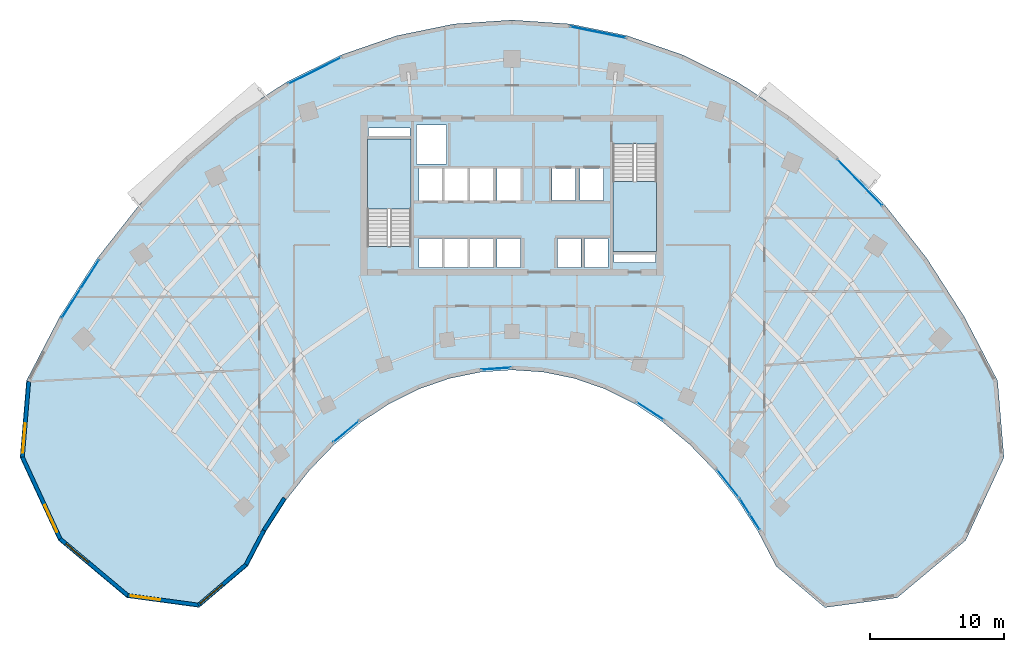
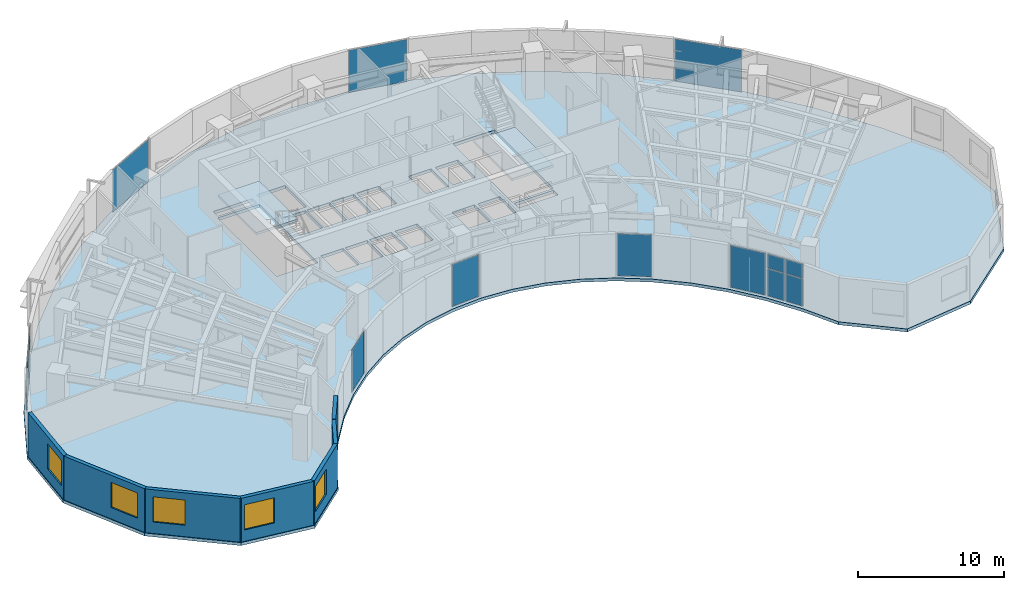
# One storey, part 7 of 13: 15 plates, 7 walls, 5 windows, 3 slabs, 5 openings, 11 elements without a shape of their own.
"""IFC4 building model written with IfcOpenShell, lengths in metres."""

from ifc_helpers import new_model, si_unit, direction, frame, frame_2d, origin, origin_2d, place, context, subcontext, project, spatial, polyline, rectangle, outline, extrude, source, transform, mapped, material, layer, layer_set, type_object, type_shapes, element, fill, aggregate, save


model = new_model("IFC4")

# Units and contexts
model_context = context("Model", 3, precision=1e-05, world=origin(), true_north=direction((0.0, 1.0)))
body_context = subcontext(model_context, "Body", "Model", "MODEL_VIEW")
ifc_project = project(units=[si_unit("LENGTHUNIT", "METRE"), si_unit("AREAUNIT", "SQUARE_METRE"), si_unit("VOLUMEUNIT", "CUBIC_METRE"), si_unit("PLANEANGLEUNIT", "RADIAN"), si_unit("MASSUNIT", "GRAM", prefix="KILO")], contexts=[model_context])

# Site, building, storey
site_placement = place(None, origin())
site = spatial("IfcSite", under=ifc_project, at=site_placement, CompositionType="ELEMENT")
building_placement = place(site_placement, origin())
building = spatial("IfcBuilding", under=site, at=building_placement, Name="Breltana Convention Tower", CompositionType="ELEMENT")
storey_placement = place(building_placement, frame((0.0, 0.0, 96.0)))
storey = spatial("IfcBuildingStorey", under=building, at=storey_placement, Name="L22", CompositionType="ELEMENT", Elevation=96.0)

# Slab
ifc_material_1 = material(Name="Concrete C40/50", Category="concrete")
ifc_layer_1 = layer(ifc_material_1, 0.25, Name="Concrete C40/50")
ifc_layer_set_1 = layer_set([ifc_layer_1], Name="Concrete C40/50")
slab_type_1 = type_object("IfcSlabType", Name="SL-OFF-250", PredefinedType="FLOOR", material=ifc_layer_set_1)
slab_1_placement = place(storey_placement, frame((0.0, 0.0, -0.25)))
element("IfcSlab", 1, at=slab_1_placement, inside=storey, type_object=slab_type_1, Name="L22 Suspended Structural Floor Slab", PredefinedType="FLOOR", context=body_context, shape_type="SweptSolid", body=[
    extrude(outline(polyline([(84.254150390625, 52.3564453125), (81.779052734375, 57.1103515625), (78.958251953125, 61.5048828125), (75.820556640625, 65.494873046875), (72.39794921875, 69.03955078125), (68.7255859375, 72.1025390625), (64.841064453125, 74.652587890625), (60.783935546875, 76.663818359375), (56.59619140625, 78.114990234375), (52.3203125, 78.99169921875), (48.0, 79.284912109375), (43.6796875, 78.99169921875), (39.40380859375, 78.114990234375), (35.216064453125, 76.663818359375), (31.158935546875, 74.652587890625), (27.2744140625, 72.1025390625), (23.60205078125, 69.03955078125), (20.179443359375, 65.494873046875), (17.041748046875, 61.5048828125), (14.220947265625, 57.1103515625), (11.745849609375, 52.3564453125), (11.266357421875, 46.619384765625), (14.128173828125, 40.42919921875), (19.23828125, 36.150146484375), (24.64501953125, 35.4169921875), (28.282958984375, 38.509521484375), (29.62890625, 41.09521484375), (31.1630859375, 43.485107421875), (32.869384765625, 45.655029296875), (34.73095703125, 47.5830078125), (36.728271484375, 49.248779296875), (38.8408203125, 50.6357421875), (41.04736328125, 51.7294921875), (43.324951171875, 52.518798828125), (45.650390625, 52.99560546875), (48.0, 53.155029296875), (50.349609375, 52.99560546875), (52.675048828125, 52.518798828125), (54.95263671875, 51.7294921875), (57.1591796875, 50.6357421875), (59.271728515625, 49.248779296875), (61.26904296875, 47.5830078125), (63.130615234375, 45.655029296875), (64.8369140625, 43.485107421875), (66.37109375, 41.09521484375), (67.717041015625, 38.509521484375), (71.35498046875, 35.4169921875), (76.76171875, 36.150146484375), (81.871826171875, 40.42919921875), (84.733642578125, 46.619384765625), (84.254150390625, 52.3564453125)]), holes=[polyline([(37.199951171875, 62.385009765625), (40.469970703125, 62.385009765625), (40.469970703125, 70.39990234375), (37.199951171875, 70.39990234375), (37.199951171875, 62.385009765625)]), polyline([(55.530029296875, 62.0), (58.800048828125, 62.0), (58.800048828125, 70.014892578125), (55.530029296875, 70.014892578125), (55.530029296875, 62.0)]), polyline([(41.0400390625, 60.800048828125), (42.800048828125, 60.800048828125), (42.800048828125, 62.97998046875), (41.0400390625, 62.97998046875), (41.0400390625, 60.800048828125)]), polyline([(42.93994140625, 60.800048828125), (44.699951171875, 60.800048828125), (44.699951171875, 62.97998046875), (42.93994140625, 62.97998046875), (42.93994140625, 60.800048828125)]), polyline([(44.8701171875, 60.800048828125), (46.6298828125, 60.800048828125), (46.6298828125, 62.97998046875), (44.8701171875, 62.97998046875), (44.8701171875, 60.800048828125)]), polyline([(46.8701171875, 60.800048828125), (48.6298828125, 60.800048828125), (48.6298828125, 62.97998046875), (46.8701171875, 62.97998046875), (46.8701171875, 60.800048828125)]), polyline([(51.39990234375, 60.800048828125), (53.159912109375, 60.800048828125), (53.159912109375, 62.97998046875), (51.39990234375, 62.97998046875), (51.39990234375, 60.800048828125)]), polyline([(53.39990234375, 60.800048828125), (55.159912109375, 60.800048828125), (55.159912109375, 62.97998046875), (53.39990234375, 62.97998046875), (53.39990234375, 60.800048828125)]), polyline([(41.0400390625, 65.820068359375), (42.800048828125, 65.820068359375), (42.800048828125, 68.179931640625), (41.0400390625, 68.179931640625), (41.0400390625, 65.820068359375)]), polyline([(42.93994140625, 65.820068359375), (44.699951171875, 65.820068359375), (44.699951171875, 68.179931640625), (42.93994140625, 68.179931640625), (42.93994140625, 65.820068359375)]), polyline([(44.8701171875, 65.820068359375), (46.6298828125, 65.820068359375), (46.6298828125, 68.179931640625), (44.8701171875, 68.179931640625), (44.8701171875, 65.820068359375)]), polyline([(46.8701171875, 65.820068359375), (48.6298828125, 65.820068359375), (48.6298828125, 68.179931640625), (46.8701171875, 68.179931640625), (46.8701171875, 65.820068359375)]), polyline([(50.969970703125, 65.800048828125), (52.72998046875, 65.800048828125), (52.72998046875, 68.179931640625), (50.969970703125, 68.179931640625), (50.969970703125, 65.800048828125)]), polyline([(53.070068359375, 65.800048828125), (54.830078125, 65.800048828125), (54.830078125, 68.179931640625), (53.070068359375, 68.179931640625), (53.070068359375, 65.800048828125)]), polyline([(40.8798828125, 68.550048828125), (43.1201171875, 68.550048828125), (43.1201171875, 71.449951171875), (40.8798828125, 71.449951171875), (40.8798828125, 68.550048828125)]), polyline([(37.300048828125, 70.60009765625), (40.3798828125, 70.60009765625), (40.3798828125, 71.219970703125), (37.300048828125, 71.219970703125), (37.300048828125, 70.60009765625)]), polyline([(55.6201171875, 61.179931640625), (58.699951171875, 61.179931640625), (58.699951171875, 61.800048828125), (55.6201171875, 61.800048828125), (55.6201171875, 61.179931640625)])]), origin(), (0.0, 0.0, 1.0), 0.25),
])

# Stair, slab
stair_type = type_object("IfcStairType", Name="ST-DOG-1560-R177", PredefinedType="HALF_TURN_STAIR", material=ifc_material_1)
stair_1_placement = place(storey_placement, origin())
stair_1 = element("IfcStair", 2, at=stair_1_placement, inside=storey, type_object=stair_type, Name="L22 Protected Core Exit Stair ST-1", PredefinedType="HALF_TURN_STAIR")
ifc_layer_2 = layer(ifc_material_1, 0.199951171875, Name="Concrete C40/50")
ifc_layer_set_2 = layer_set([ifc_layer_2], Name="Concrete C40/50")
slab_type_2 = type_object("IfcSlabType", Name="SL-STAIR-LANDING-200", PredefinedType="LANDING", material=ifc_layer_set_2)
slab_2_placement = place(storey_placement, frame((0.0, 0.0, 1.75)))
slab_2 = element("IfcSlab", 3, at=slab_2_placement, type_object=slab_type_2, Name="ST-1 landing 1", PredefinedType="LANDING", context=body_context, shape_type="SweptSolid", body=[
    extrude(outline(polyline([(40.469970703125, 65.159912109375), (40.469970703125, 70.39990234375), (37.199951171875, 70.39990234375), (37.199951171875, 65.159912109375), (40.469970703125, 65.159912109375)])), origin(), (0.0, 0.0, 1.0), 0.199951171875),
])
aggregate(stair_1, [slab_2])

stair_2_placement = place(storey_placement, origin())
stair_2 = element("IfcStair", 4, at=stair_2_placement, inside=storey, type_object=stair_type, Name="L22 Protected Core Exit Stair ST-2", PredefinedType="HALF_TURN_STAIR")
slab_3_placement = place(storey_placement, frame((0.0, 0.0, 1.75)))
slab_3 = element("IfcSlab", 5, at=slab_3_placement, type_object=slab_type_2, Name="ST-2 landing 1", PredefinedType="LANDING", context=body_context, shape_type="SweptSolid", body=[
    extrude(outline(polyline([(55.530029296875, 67.239990234375), (55.530029296875, 62.0), (58.800048828125, 62.0), (58.800048828125, 67.239990234375), (55.530029296875, 67.239990234375)])), origin(), (0.0, 0.0, 1.0), 0.199951171875),
])
aggregate(stair_2, [slab_3])

# Curtain wall, plates
ifc_material_2 = material(Name="Aluminium Anodised Bronze Frame", Category="aluminium")
ifc_layer_3 = layer(ifc_material_2, 0.18994140625, Name="Aluminium Anodised Bronze Frame")
ifc_layer_set_3 = layer_set([ifc_layer_3], Name="Aluminium Anodised Bronze Frame")
curtain_wall_type_1 = type_object("IfcCurtainWallType", Name="CW-SYS-1", PredefinedType="NOTDEFINED", material=ifc_layer_set_3)
curtain_wall_1_placement = place(storey_placement, origin())
curtain_wall_1 = element("IfcCurtainWall", 6, at=curtain_wall_1_placement, inside=storey, type_object=curtain_wall_type_1, Name="L22 inner south-court glazing 1", PredefinedType="NOTDEFINED")
ifc_material_3 = material(Name="Glass Low-E Double Glazing", Category="glass")
ifc_layer_4 = layer(ifc_material_3, 0.028076171875, Name="Glass Low-E Double Glazing")
ifc_layer_set_4 = layer_set([ifc_layer_4], Name="Glass Low-E Double Glazing")
plate_type_1 = type_object("IfcPlateType", Name="CWP-IGU-28", PredefinedType="CURTAIN_PANEL", material=ifc_layer_set_4)
shared_shape_1 = source(origin(), body_context, "Body", "SweptSolid", [
    extrude(rectangle(XDim=1.300048828125, YDim=0.028076171875, at=origin_2d()), origin(), (0.0, 0.0, 1.0), 2.25244140625),
])
plate_1_placement = place(storey_placement, frame((66.128173828125, 41.806640625, 0.080078125), z_axis=(0.0, 0.0, 1.0), x_axis=(-0.5401773017, 0.841551235949, 0.0)))
plate_1 = element("IfcPlate", 7, at=plate_1_placement, type_object=plate_type_1, Name="CW-01 panel 1.1", PredefinedType="CURTAIN_PANEL", context=body_context, shape_type="MappedRepresentation", body=[
    mapped(shared_shape_1, transform((0.0, 0.0, 0.0), scale=1.0)),
])
plate_2_placement = place(storey_placement, frame((65.3828125, 42.968017578125, 0.080078125), z_axis=(0.0, 0.0, 1.0), x_axis=(-0.5401773017, 0.841551235949, 0.0)))
plate_2 = element("IfcPlate", 8, at=plate_2_placement, type_object=plate_type_1, Name="CW-01 panel 2.1", PredefinedType="CURTAIN_PANEL", context=body_context, shape_type="MappedRepresentation", body=[
    mapped(shared_shape_1, transform((0.0, 0.0, 0.0), scale=1.0)),
])
shared_shape_2 = source(origin(), body_context, "Body", "SweptSolid", [
    extrude(rectangle(XDim=1.300048828125, YDim=0.028076171875, at=origin_2d()), origin(), (0.0, 0.0, 1.0), 1.157470703125),
])
plate_3_placement = place(storey_placement, frame((66.128173828125, 41.806640625, 2.41259765625), z_axis=(0.0, 0.0, 1.0), x_axis=(-0.5401773017, 0.841551235949, 0.0)))
plate_3 = element("IfcPlate", 9, at=plate_3_placement, type_object=plate_type_1, Name="CW-01 panel 1.2", PredefinedType="CURTAIN_PANEL", context=body_context, shape_type="MappedRepresentation", body=[
    mapped(shared_shape_2, transform((0.0, 0.0, 0.0), scale=1.0)),
])
plate_4_placement = place(storey_placement, frame((65.3828125, 42.968017578125, 2.41259765625), z_axis=(0.0, 0.0, 1.0), x_axis=(-0.5401773017, 0.841551235949, 0.0)))
plate_4 = element("IfcPlate", 10, at=plate_4_placement, type_object=plate_type_1, Name="CW-01 panel 2.2", PredefinedType="CURTAIN_PANEL", context=body_context, shape_type="MappedRepresentation", body=[
    mapped(shared_shape_2, transform((0.0, 0.0, 0.0), scale=1.0)),
])
aggregate(curtain_wall_1, [plate_1, plate_3, plate_2, plate_4])

# Curtain wall, plate
curtain_wall_2_placement = place(storey_placement, origin())
curtain_wall_2 = element("IfcCurtainWall", 11, at=curtain_wall_2_placement, inside=storey, type_object=curtain_wall_type_1, Name="L22 inner south-court glazing 2", PredefinedType="NOTDEFINED")
shared_shape_3 = source(origin(), body_context, "Body", "SweptSolid", [
    extrude(rectangle(XDim=2.6005859375, YDim=0.028076171875, at=origin_2d()), origin(), (0.0, 0.0, 1.0), 3.489990234375),
])
plate_5_placement = place(storey_placement, frame((64.125244140625, 44.681396484375, 0.080078125), z_axis=(0.0, 0.0, 1.0), x_axis=(-0.61815745037, 0.786054302547, 0.0)))
plate_5 = element("IfcPlate", 12, at=plate_5_placement, type_object=plate_type_1, Name="CW-01 panel 1.1", PredefinedType="CURTAIN_PANEL", context=body_context, shape_type="MappedRepresentation", body=[
    mapped(shared_shape_3, transform((0.0, 0.0, 0.0), scale=1.0)),
])
aggregate(curtain_wall_2, [plate_5])

curtain_wall_3_placement = place(storey_placement, origin())
curtain_wall_3 = element("IfcCurtainWall", 13, at=curtain_wall_3_placement, inside=storey, type_object=curtain_wall_type_1, Name="L22 inner south-court glazing 3", PredefinedType="NOTDEFINED")
shared_shape_4 = source(origin(), body_context, "Body", "SweptSolid", [
    extrude(rectangle(XDim=2.3671875, YDim=0.028076171875, at=origin_2d()), origin(), (0.0, 0.0, 1.0), 3.489990234375),
])
plate_6_placement = place(storey_placement, frame((58.314208984375, 50.0927734375, 0.080078125), z_axis=(0.0, 0.0, 1.0), x_axis=(-0.835967927261, 0.548778301858, 0.0)))
plate_6 = element("IfcPlate", 14, at=plate_6_placement, type_object=plate_type_1, Name="CW-01 panel 1.1", PredefinedType="CURTAIN_PANEL", context=body_context, shape_type="MappedRepresentation", body=[
    mapped(shared_shape_4, transform((0.0, 0.0, 0.0), scale=1.0)),
])
aggregate(curtain_wall_3, [plate_6])

curtain_wall_4_placement = place(storey_placement, origin())
curtain_wall_4 = element("IfcCurtainWall", 15, at=curtain_wall_4_placement, inside=storey, type_object=curtain_wall_type_1, Name="L22 inner south-court glazing 4", PredefinedType="NOTDEFINED")
shared_shape_5 = source(origin(), body_context, "Body", "SweptSolid", [
    extrude(rectangle(XDim=2.195068359375, YDim=0.028076171875, at=origin_2d()), origin(), (0.0, 0.0, 1.0), 3.489990234375),
])
plate_7_placement = place(storey_placement, frame((46.81298828125, 53.2548828125, 0.080078125), z_axis=(0.0, 0.0, 1.0), x_axis=(-0.997703821328, -0.067728021582, 0.0)))
plate_7 = element("IfcPlate", 16, at=plate_7_placement, type_object=plate_type_1, Name="CW-01 panel 1.1", PredefinedType="CURTAIN_PANEL", context=body_context, shape_type="MappedRepresentation", body=[
    mapped(shared_shape_5, transform((0.0, 0.0, 0.0), scale=1.0)),
])
aggregate(curtain_wall_4, [plate_7])

curtain_wall_5_placement = place(storey_placement, origin())
curtain_wall_5 = element("IfcCurtainWall", 17, at=curtain_wall_5_placement, inside=storey, type_object=curtain_wall_type_1, Name="L22 inner south-court glazing 5", PredefinedType="NOTDEFINED")
shared_shape_6 = source(origin(), body_context, "Body", "SweptSolid", [
    extrude(rectangle(XDim=2.44091796875, YDim=0.028076171875, at=origin_2d()), origin(), (0.0, 0.0, 1.0), 3.489990234375),
])
plate_8_placement = place(storey_placement, frame((35.6142578125, 48.553955078125, 0.080078125), z_axis=(0.0, 0.0, 1.0), x_axis=(-0.76794071768, -0.640520924036, 0.0)))
plate_8 = element("IfcPlate", 18, at=plate_8_placement, type_object=plate_type_1, Name="CW-01 panel 1.1", PredefinedType="CURTAIN_PANEL", context=body_context, shape_type="MappedRepresentation", body=[
    mapped(shared_shape_6, transform((0.0, 0.0, 0.0), scale=1.0)),
])
aggregate(curtain_wall_5, [plate_8])

# Curtain wall, plates
ifc_layer_5 = layer(ifc_material_2, 0.22998046875, Name="Aluminium Anodised Bronze Frame")
ifc_layer_set_5 = layer_set([ifc_layer_5], Name="Aluminium Anodised Bronze Frame")
curtain_wall_type_2 = type_object("IfcCurtainWallType", Name="CW-SYS-5", PredefinedType="NOTDEFINED", material=ifc_layer_set_5)
curtain_wall_6_placement = place(storey_placement, origin())
curtain_wall_6 = element("IfcCurtainWall", 19, at=curtain_wall_6_placement, inside=storey, type_object=curtain_wall_type_2, Name="L22 outer double-skin inner glazing 1", PredefinedType="NOTDEFINED")
ifc_layer_6 = layer(ifc_material_3, 0.035888671875, Name="Glass Low-E Double Glazing")
ifc_layer_set_6 = layer_set([ifc_layer_6], Name="Glass Low-E Double Glazing")
plate_type_2 = type_object("IfcPlateType", Name="CWP-IGU-36", PredefinedType="CURTAIN_PANEL", material=ifc_layer_set_6)
shared_shape_7 = source(origin(), body_context, "Body", "SweptSolid", [
    extrude(rectangle(XDim=2.49755859375, YDim=0.035888671875, at=origin_2d()), origin(), (0.0, 0.0, 1.0), 2.267578125),
])
plate_9_placement = place(storey_placement, frame((15.089111328125, 58.1298828125, 0.070068359375), z_axis=(0.0, 0.0, 1.0), x_axis=(0.540176809834, 0.84155155167, 0.0)))
plate_9 = element("IfcPlate", 20, at=plate_9_placement, type_object=plate_type_2, Name="CW-05 panel 1.1", PredefinedType="CURTAIN_PANEL", context=body_context, shape_type="MappedRepresentation", body=[
    mapped(shared_shape_7, transform((0.0, 0.0, 0.0), scale=1.0)),
])
plate_10_placement = place(storey_placement, frame((16.47607421875, 60.29052734375, 0.070068359375), z_axis=(0.0, 0.0, 1.0), x_axis=(0.540176809834, 0.84155155167, 0.0)))
plate_10 = element("IfcPlate", 21, at=plate_10_placement, type_object=plate_type_2, Name="CW-05 panel 2.1", PredefinedType="CURTAIN_PANEL", context=body_context, shape_type="MappedRepresentation", body=[
    mapped(shared_shape_7, transform((0.0, 0.0, 0.0), scale=1.0)),
])
shared_shape_8 = source(origin(), body_context, "Body", "SweptSolid", [
    extrude(rectangle(XDim=2.49755859375, YDim=0.035888671875, at=origin_2d()), origin(), (0.0, 0.0, 1.0), 1.172607421875),
])
plate_11_placement = place(storey_placement, frame((15.089111328125, 58.1298828125, 2.4072265625), z_axis=(0.0, 0.0, 1.0), x_axis=(0.540176809834, 0.84155155167, 0.0)))
plate_11 = element("IfcPlate", 22, at=plate_11_placement, type_object=plate_type_2, Name="CW-05 panel 1.2", PredefinedType="CURTAIN_PANEL", context=body_context, shape_type="MappedRepresentation", body=[
    mapped(shared_shape_8, transform((0.0, 0.0, 0.0), scale=1.0)),
])
plate_12_placement = place(storey_placement, frame((16.47607421875, 60.29052734375, 2.4072265625), z_axis=(0.0, 0.0, 1.0), x_axis=(0.540176809834, 0.84155155167, 0.0)))
plate_12 = element("IfcPlate", 23, at=plate_12_placement, type_object=plate_type_2, Name="CW-05 panel 2.2", PredefinedType="CURTAIN_PANEL", context=body_context, shape_type="MappedRepresentation", body=[
    mapped(shared_shape_8, transform((0.0, 0.0, 0.0), scale=1.0)),
])
aggregate(curtain_wall_6, [plate_9, plate_11, plate_10, plate_12])

# Curtain wall, plate
curtain_wall_7_placement = place(storey_placement, origin())
curtain_wall_7 = element("IfcCurtainWall", 24, at=curtain_wall_7_placement, inside=storey, type_object=curtain_wall_type_2, Name="L22 outer double-skin inner glazing 2", PredefinedType="NOTDEFINED")
shared_shape_9 = source(origin(), body_context, "Body", "SweptSolid", [
    extrude(rectangle(XDim=4.36572265625, YDim=0.035888671875, at=origin_2d()), origin(), (0.0, 0.0, 1.0), 3.510009765625),
])
plate_13_placement = place(storey_placement, frame((33.26708984375, 75.496826171875, 0.06982421875), z_axis=(0.0, 0.0, 1.0), x_axis=(0.895966548937, 0.444121541007, 0.0)))
plate_13 = element("IfcPlate", 25, at=plate_13_placement, type_object=plate_type_2, Name="CW-05 panel 1.1", PredefinedType="CURTAIN_PANEL", context=body_context, shape_type="MappedRepresentation", body=[
    mapped(shared_shape_9, transform((0.0, 0.0, 0.0), scale=1.0)),
])
aggregate(curtain_wall_7, [plate_13])

curtain_wall_8_placement = place(storey_placement, origin())
curtain_wall_8 = element("IfcCurtainWall", 26, at=curtain_wall_8_placement, inside=storey, type_object=curtain_wall_type_2, Name="L22 outer double-skin inner glazing 3", PredefinedType="NOTDEFINED")
shared_shape_10 = source(origin(), body_context, "Body", "SweptSolid", [
    extrude(rectangle(XDim=4.200927734375, YDim=0.035888671875, at=origin_2d()), origin(), (0.0, 0.0, 1.0), 3.510009765625),
])
plate_14_placement = place(storey_placement, frame((54.422119140625, 78.376953125, 0.06982421875), z_axis=(0.0, 0.0, 1.0), x_axis=(0.979620254346, -0.200858550415, 0.0)))
plate_14 = element("IfcPlate", 27, at=plate_14_placement, type_object=plate_type_2, Name="CW-05 panel 1.1", PredefinedType="CURTAIN_PANEL", context=body_context, shape_type="MappedRepresentation", body=[
    mapped(shared_shape_10, transform((0.0, 0.0, 0.0), scale=1.0)),
])
aggregate(curtain_wall_8, [plate_14])

curtain_wall_9_placement = place(storey_placement, origin())
curtain_wall_9 = element("IfcCurtainWall", 28, at=curtain_wall_9_placement, inside=storey, type_object=curtain_wall_type_2, Name="L22 outer double-skin inner glazing 4", PredefinedType="NOTDEFINED")
shared_shape_11 = source(origin(), body_context, "Body", "SweptSolid", [
    extrude(rectangle(XDim=4.7685546875, YDim=0.035888671875, at=origin_2d()), origin(), (0.0, 0.0, 1.0), 3.510009765625),
])
plate_15_placement = place(storey_placement, frame((73.97998046875, 67.141845703125, 0.06982421875), z_axis=(0.0, 0.0, 1.0), x_axis=(0.694611601605, -0.719384961558, 0.0)))
plate_15 = element("IfcPlate", 29, at=plate_15_placement, type_object=plate_type_2, Name="CW-05 panel 1.1", PredefinedType="CURTAIN_PANEL", context=body_context, shape_type="MappedRepresentation", body=[
    mapped(shared_shape_11, transform((0.0, 0.0, 0.0), scale=1.0)),
])
aggregate(curtain_wall_9, [plate_15])

# Wall, opening, window
ifc_material_4 = material(Name="Limestone Buff Insulated Wall", Category="masonry")
ifc_layer_7 = layer(ifc_material_4, 0.280029296875, Name="Limestone Buff Insulated Wall")
ifc_layer_set_7 = layer_set([ifc_layer_7], Name="Limestone Buff Insulated Wall")
wall_type = type_object("IfcWallType", Name="WL-EXT-NOSE-280", PredefinedType="SOLIDWALL", material=ifc_layer_set_7)
shared_shape_12 = source(origin(), body_context, "Body", "SweptSolid", [
    extrude(rectangle(XDim=5.673583984375, YDim=0.280029296875, at=frame_2d((2.8369140625, 0.0))), origin(), (0.0, 0.0, 1.0), 3.64990234375),
])
wall_1_placement = place(storey_placement, frame((11.44970703125, 46.651611328125, 0.0), z_axis=(0.0, 0.0, 1.0), x_axis=(0.083309007867, 0.996523762491, 0.0)))
wall_1 = element("IfcWall", 30, at=wall_1_placement, inside=storey, type_object=wall_type, Name="L22 curved limestone nose wall W6", PredefinedType="SOLIDWALL", context=body_context, shape_type="MappedRepresentation", body=[
    mapped(shared_shape_12, transform((0.0, 0.0, 0.0), scale=1.0)),
])
opening_1_placement = place(wall_1_placement, frame((0.318359375, 0.0, 0.949951171875)))
opening_1 = element("IfcOpeningElement", 31, at=opening_1_placement, cuts=wall_1, Name="Opening W-03", PredefinedType="OPENING", context=body_context, shape_type="SweptSolid", body=[
    extrude(rectangle(XDim=2.199951171875, YDim=2.10009765625, at=frame_2d((1.10009765625, 1.050048828125))), frame((0.0, 0.14990234375, 0.0), z_axis=(0.0, -1.0, 0.0), x_axis=(1.0, 0.0, 0.0)), (0.0, 0.0, 1.0), 0.300048828125),
])
ifc_material_5 = material(Name="Glass Low-E Insulated Window", Category="glass")
window_type = type_object("IfcWindowType", Name="WN-NOSE-2200X2100", PartitioningType="TRIPLE_PANEL_VERTICAL", PredefinedType="WINDOW", material=ifc_material_5)
shared_shape_13 = source(origin(), body_context, "Body", "SweptSolid", [
    extrude(rectangle(XDim=2.199951171875, YDim=2.10009765625, at=frame_2d((1.10009765625, 1.050048828125))), frame((0.0, 0.030029296875, 0.0), z_axis=(0.0, -1.0, 0.0), x_axis=(1.0, 0.0, 0.0)), (0.0, 0.0, 1.0), 0.06005859375),
])
type_shapes(window_type, [shared_shape_13])
window_1_placement = place(opening_1_placement, origin())
window_1 = element("IfcWindow", 32, at=window_1_placement, inside=storey, type_object=window_type, Name="L22 nose window W6", OverallHeight=2.10009765625, OverallWidth=2.199951171875, PartitioningType="TRIPLE_PANEL_VERTICAL", PredefinedType="WINDOW", context=body_context, shape_type="MappedRepresentation", body=[
    mapped(shared_shape_13, transform((0.0, 0.0, 0.0), scale=1.0)),
])
fill(opening_1, window_1)

shared_shape_14 = source(origin(), body_context, "Body", "SweptSolid", [
    extrude(rectangle(XDim=6.731689453125, YDim=0.280029296875, at=frame_2d((3.36572265625, 0.0))), origin(), (0.0, 0.0, 1.0), 3.64990234375),
])
wall_2_placement = place(storey_placement, frame((14.274658203125, 40.541259765625, 0.0), z_axis=(0.0, 0.0, 1.0), x_axis=(-0.419644552709, 0.907688520023, 0.0)))
wall_2 = element("IfcWall", 33, at=wall_2_placement, inside=storey, type_object=wall_type, Name="L22 curved limestone nose wall W5", PredefinedType="SOLIDWALL", context=body_context, shape_type="MappedRepresentation", body=[
    mapped(shared_shape_14, transform((0.0, 0.0, 0.0), scale=1.0)),
])
opening_2_placement = place(wall_2_placement, frame((0.5830078125, 0.0, 0.949951171875)))
opening_2 = element("IfcOpeningElement", 34, at=opening_2_placement, cuts=wall_2, Name="Opening W-03", PredefinedType="OPENING", context=body_context, shape_type="SweptSolid", body=[
    extrude(rectangle(XDim=2.199951171875, YDim=2.10009765625, at=frame_2d((1.10009765625, 1.050048828125))), frame((0.0, 0.14990234375, 0.0), z_axis=(0.0, -1.0, 0.0), x_axis=(1.0, 0.0, 0.0)), (0.0, 0.0, 1.0), 0.300048828125),
])
window_2_placement = place(opening_2_placement, origin())
window_2 = element("IfcWindow", 35, at=window_2_placement, inside=storey, type_object=window_type, Name="L22 nose window W5", OverallHeight=2.10009765625, OverallWidth=2.199951171875, PartitioningType="TRIPLE_PANEL_VERTICAL", PredefinedType="WINDOW", context=body_context, shape_type="MappedRepresentation", body=[
    mapped(shared_shape_13, transform((0.0, 0.0, 0.0), scale=1.0)),
])
fill(opening_2, window_2)

shared_shape_15 = source(origin(), body_context, "Body", "SweptSolid", [
    extrude(rectangle(XDim=6.572998046875, YDim=0.280029296875, at=frame_2d((3.28662109375, 0.0))), origin(), (0.0, 0.0, 1.0), 3.64990234375),
])
wall_3_placement = place(storey_placement, frame((19.314208984375, 36.321533203125, 0.0), z_axis=(0.0, 0.0, 1.0), x_axis=(-0.766715154163, 0.641987439423, 0.0)))
wall_3 = element("IfcWall", 36, at=wall_3_placement, inside=storey, type_object=wall_type, Name="L22 curved limestone nose wall W4", PredefinedType="SOLIDWALL", context=body_context, shape_type="MappedRepresentation", body=[
    mapped(shared_shape_15, transform((0.0, 0.0, 0.0), scale=1.0)),
])
opening_3_placement = place(wall_3_placement, frame((3.82958984375, 0.0, 0.949951171875)))
opening_3 = element("IfcOpeningElement", 37, at=opening_3_placement, cuts=wall_3, Name="Opening W-03", PredefinedType="OPENING", context=body_context, shape_type="SweptSolid", body=[
    extrude(rectangle(XDim=2.199951171875, YDim=2.10009765625, at=frame_2d((1.10009765625, 1.050048828125))), frame((0.0, 0.14990234375, 0.0), z_axis=(0.0, -1.0, 0.0), x_axis=(1.0, 0.0, 0.0)), (0.0, 0.0, 1.0), 0.300048828125),
])
window_3_placement = place(opening_3_placement, origin())
window_3 = element("IfcWindow", 38, at=window_3_placement, inside=storey, type_object=window_type, Name="L22 nose window W4", OverallHeight=2.10009765625, OverallWidth=2.199951171875, PartitioningType="TRIPLE_PANEL_VERTICAL", PredefinedType="WINDOW", context=body_context, shape_type="MappedRepresentation", body=[
    mapped(shared_shape_13, transform((0.0, 0.0, 0.0), scale=1.0)),
])
fill(opening_3, window_3)

shared_shape_16 = source(origin(), body_context, "Body", "SweptSolid", [
    extrude(rectangle(XDim=5.32373046875, YDim=0.280029296875, at=frame_2d((2.661865234375, 0.0))), origin(), (0.0, 0.0, 1.0), 3.64990234375),
])
wall_4_placement = place(storey_placement, frame((24.589599609375, 35.606201171875, 0.0), z_axis=(0.0, 0.0, 1.0), x_axis=(-0.990931467223, 0.134368252451, 0.0)))
wall_4 = element("IfcWall", 39, at=wall_4_placement, inside=storey, type_object=wall_type, Name="L22 curved limestone nose wall W3", PredefinedType="SOLIDWALL", context=body_context, shape_type="MappedRepresentation", body=[
    mapped(shared_shape_16, transform((0.0, 0.0, 0.0), scale=1.0)),
])
opening_4_placement = place(wall_4_placement, frame((2.892822265625, 0.0, 0.949951171875)))
opening_4 = element("IfcOpeningElement", 40, at=opening_4_placement, cuts=wall_4, Name="Opening W-03", PredefinedType="OPENING", context=body_context, shape_type="SweptSolid", body=[
    extrude(rectangle(XDim=2.199951171875, YDim=2.10009765625, at=frame_2d((1.10009765625, 1.050048828125))), frame((0.0, 0.14990234375, 0.0), z_axis=(0.0, -1.0, 0.0), x_axis=(1.0, 0.0, 0.0)), (0.0, 0.0, 1.0), 0.300048828125),
])
window_4_placement = place(opening_4_placement, origin())
window_4 = element("IfcWindow", 41, at=window_4_placement, inside=storey, type_object=window_type, Name="L22 nose window W3", OverallHeight=2.10009765625, OverallWidth=2.199951171875, PartitioningType="TRIPLE_PANEL_VERTICAL", PredefinedType="WINDOW", context=body_context, shape_type="MappedRepresentation", body=[
    mapped(shared_shape_13, transform((0.0, 0.0, 0.0), scale=1.0)),
])
fill(opening_4, window_4)

shared_shape_17 = source(origin(), body_context, "Body", "SweptSolid", [
    extrude(rectangle(XDim=4.6591796875, YDim=0.280029296875, at=frame_2d((2.32958984375, 0.0))), origin(), (0.0, 0.0, 1.0), 3.64990234375),
])
wall_5_placement = place(storey_placement, frame((28.139404296875, 38.623779296875, 0.0), z_axis=(0.0, 0.0, 1.0), x_axis=(-0.761913458795, -0.647678841176, 0.0)))
wall_5 = element("IfcWall", 42, at=wall_5_placement, inside=storey, type_object=wall_type, Name="L22 curved limestone nose wall W2", PredefinedType="SOLIDWALL", context=body_context, shape_type="MappedRepresentation", body=[
    mapped(shared_shape_17, transform((0.0, 0.0, 0.0), scale=1.0)),
])
opening_5_placement = place(wall_5_placement, frame((2.29931640625, 0.0, 0.949951171875)))
opening_5 = element("IfcOpeningElement", 43, at=opening_5_placement, cuts=wall_5, Name="Opening W-03", PredefinedType="OPENING", context=body_context, shape_type="SweptSolid", body=[
    extrude(rectangle(XDim=2.199951171875, YDim=2.10009765625, at=frame_2d((1.10009765625, 1.050048828125))), frame((0.0, 0.14990234375, 0.0), z_axis=(0.0, -1.0, 0.0), x_axis=(1.0, 0.0, 0.0)), (0.0, 0.0, 1.0), 0.300048828125),
])
window_5_placement = place(opening_5_placement, origin())
window_5 = element("IfcWindow", 44, at=window_5_placement, inside=storey, type_object=window_type, Name="L22 nose window W2", OverallHeight=2.10009765625, OverallWidth=2.199951171875, PartitioningType="TRIPLE_PANEL_VERTICAL", PredefinedType="WINDOW", context=body_context, shape_type="MappedRepresentation", body=[
    mapped(shared_shape_13, transform((0.0, 0.0, 0.0), scale=1.0)),
])
fill(opening_5, window_5)

# Walls
shared_shape_18 = source(origin(), body_context, "Body", "SweptSolid", [
    extrude(rectangle(XDim=2.8798828125, YDim=0.280029296875, at=frame_2d((1.43994140625, 0.0))), origin(), (0.0, 0.0, 1.0), 3.64990234375),
])
wall_6_placement = place(storey_placement, frame((29.46923828125, 41.17822265625, 0.0), z_axis=(0.0, 0.0, 1.0), x_axis=(-0.461769086658, -0.887000175088, 0.0)))
element("IfcWall", 45, at=wall_6_placement, inside=storey, type_object=wall_type, Name="L22 curved limestone nose wall W1", PredefinedType="SOLIDWALL", context=body_context, shape_type="MappedRepresentation", body=[
    mapped(shared_shape_18, transform((0.0, 0.0, 0.0), scale=1.0)),
])
shared_shape_19 = source(origin(), body_context, "Body", "SweptSolid", [
    extrude(rectangle(XDim=2.83984375, YDim=0.280029296875, at=frame_2d((1.419921875, 0.0))), origin(), (0.0, 0.0, 1.0), 3.64990234375),
])
wall_7_placement = place(storey_placement, frame((31.011474609375, 43.582275390625, 0.0), z_axis=(0.0, 0.0, 1.0), x_axis=(-0.540214368057, -0.841527442538, 0.0)))
element("IfcWall", 46, at=wall_7_placement, inside=storey, type_object=wall_type, Name="L22 curved limestone nose wall E19", PredefinedType="SOLIDWALL", context=body_context, shape_type="MappedRepresentation", body=[
    mapped(shared_shape_19, transform((0.0, 0.0, 0.0), scale=1.0)),
])

save(model, "model.ifc")
